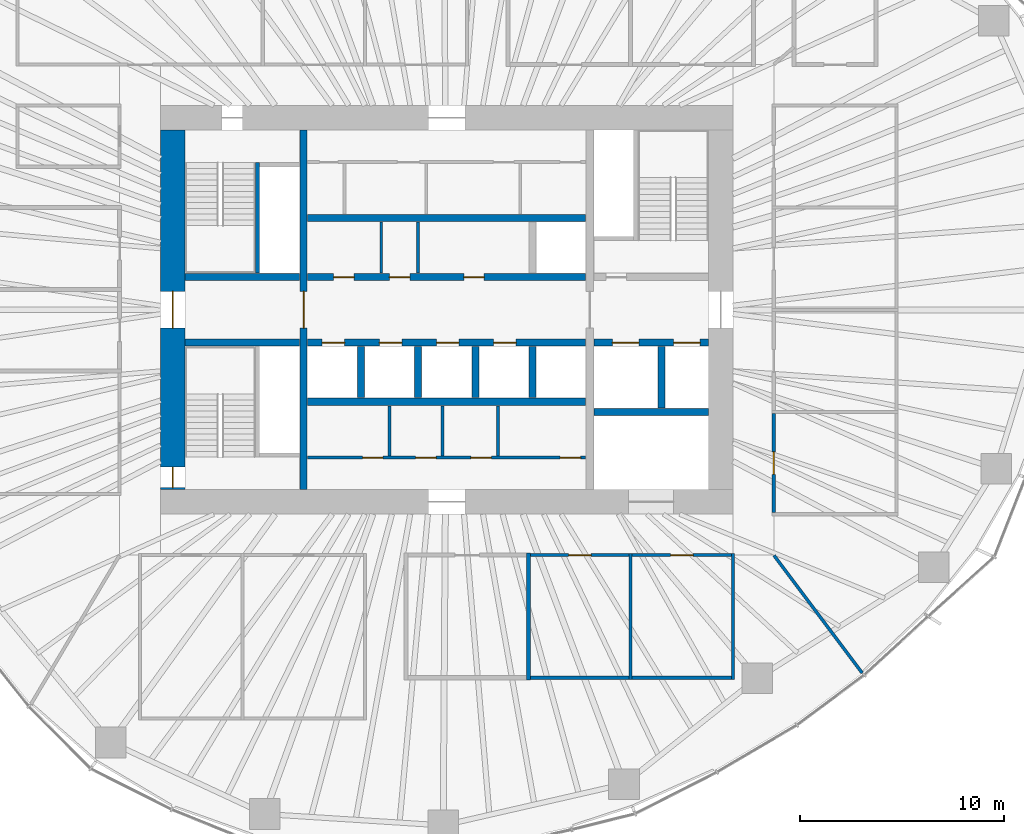
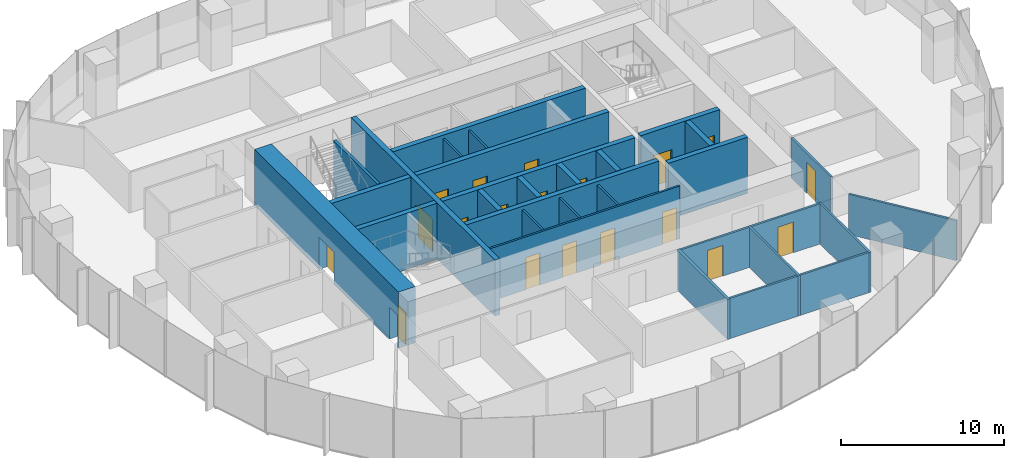
# One storey, part 9 of 18: 31 walls, 19 doors, 19 openings.
"""IFC4 building model written with IfcOpenShell, lengths in metres."""

from ifc_helpers import new_model, si_unit, direction, frame, frame_2d, origin, place, context, subcontext, project, spatial, rectangle, extrude, material, layer, layer_set, type_object, element, fill, save


model = new_model("IFC4")

# Units and contexts
model_context = context("Model", 3, precision=1e-05, world=origin(), true_north=direction((0.0, 1.0)))
body_context = subcontext(model_context, "Body", "Model", "MODEL_VIEW")
ifc_project = project(units=[si_unit("LENGTHUNIT", "METRE"), si_unit("AREAUNIT", "SQUARE_METRE"), si_unit("VOLUMEUNIT", "CUBIC_METRE"), si_unit("PLANEANGLEUNIT", "RADIAN"), si_unit("MASSUNIT", "GRAM", prefix="KILO")], contexts=[model_context])

# Site, building, storey
site_placement = place(None, origin())
site = spatial("IfcSite", under=ifc_project, at=site_placement, CompositionType="ELEMENT")
building_placement = place(site_placement, origin())
building = spatial("IfcBuilding", under=site, at=building_placement, Name="Ghaith Harvest Tower", CompositionType="ELEMENT")
storey_placement = place(building_placement, frame((0.0, 0.0, 126.0)))
storey = spatial("IfcBuildingStorey", under=building, at=storey_placement, Name="L26", CompositionType="ELEMENT", Elevation=126.0)

# Wall
ifc_material_1 = material(Name="Twin-stud gypsum board, acoustic", Category="gypsum")
ifc_layer_1 = layer(ifc_material_1, 0.199951171875)
ifc_layer_set_1 = layer_set([ifc_layer_1], Name="ACOUSTIC PARTITION 200")
wall_type_1 = type_object("IfcWallType", Name="ACOUSTIC PARTITION 200", PredefinedType="PARTITIONING", material=ifc_layer_set_1)
wall_1_placement = place(storey_placement, frame((4.0, -11.89990234375, 0.0), z_axis=(0.0, 0.0, 1.0), x_axis=(0.0, -1.0, 0.0)))
element("IfcWall", 1, at=wall_1_placement, inside=storey, type_object=wall_type_1, Name="Partition L26 row S5 cross wall 2", PredefinedType="PARTITIONING", context=body_context, shape_type="SweptSolid", body=[
    extrude(rectangle(XDim=6.2001953125, YDim=0.199951171875, at=frame_2d((3.10009765625, 0.0))), origin(), (0.0, 0.0, 1.0), 3.0),
])

# Wall, openings, doors
ifc_material_2 = material(Name="Concrete blockwork, fair-faced", Category="masonry")
ifc_layer_2 = layer(ifc_material_2, 0.139892578125)
ifc_layer_set_2 = layer_set([ifc_layer_2], Name="CORE PARTITION 140")
wall_type_2 = type_object("IfcWallType", Name="CORE PARTITION 140", PredefinedType="PARTITIONING", material=ifc_layer_set_2)
wall_2_placement = place(storey_placement, frame((-6.800048828125, -7.22998046875, 0.0), z_axis=(0.0, 0.0, 1.0), x_axis=(1.0, 0.0, 0.0)))
wall_2 = element("IfcWall", 2, at=wall_2_placement, inside=storey, type_object=wall_type_2, Name="Core partition L26", PredefinedType="PARTITIONING", context=body_context, shape_type="SweptSolid", body=[
    extrude(rectangle(XDim=13.60009765625, YDim=0.139892578125, at=frame_2d((6.800048828125, 0.0))), origin(), (0.0, 0.0, 1.0), 3.949951171875),
])
opening_1_placement = place(wall_2_placement, frame((2.679931640625, 0.0, 0.0)))
opening_1 = element("IfcOpeningElement", 3, at=opening_1_placement, cuts=wall_2, Name="Opening 26-012", PredefinedType="OPENING", context=body_context, shape_type="SweptSolid", body=[
    extrude(rectangle(XDim=1.0, YDim=2.39990234375, at=frame_2d((0.5, 1.199951171875))), frame((0.0, 0.080078125, 0.0), z_axis=(0.0, -1.0, 0.0), x_axis=(1.0, 0.0, 0.0)), (0.0, 0.0, 1.0), 0.159912109375),
])
opening_2_placement = place(wall_2_placement, frame((5.280029296875, 0.0, 0.0)))
opening_2 = element("IfcOpeningElement", 4, at=opening_2_placement, cuts=wall_2, Name="Opening 26-013", PredefinedType="OPENING", context=body_context, shape_type="SweptSolid", body=[
    extrude(rectangle(XDim=1.0, YDim=2.39990234375, at=frame_2d((0.5, 1.199951171875))), frame((0.0, 0.080078125, 0.0), z_axis=(0.0, -1.0, 0.0), x_axis=(1.0, 0.0, 0.0)), (0.0, 0.0, 1.0), 0.159912109375),
])
opening_3_placement = place(wall_2_placement, frame((7.97998046875, 0.0, 0.0)))
opening_3 = element("IfcOpeningElement", 5, at=opening_3_placement, cuts=wall_2, Name="Opening 26-014", PredefinedType="OPENING", context=body_context, shape_type="SweptSolid", body=[
    extrude(rectangle(XDim=1.0, YDim=2.39990234375, at=frame_2d((0.5, 1.199951171875))), frame((0.0, 0.080078125, 0.0), z_axis=(0.0, -1.0, 0.0), x_axis=(1.0, 0.0, 0.0)), (0.0, 0.0, 1.0), 0.159912109375),
])
opening_4_placement = place(wall_2_placement, frame((12.35009765625, 0.0, 0.0)))
opening_4 = element("IfcOpeningElement", 6, at=opening_4_placement, cuts=wall_2, Name="Opening 26-015", PredefinedType="OPENING", context=body_context, shape_type="SweptSolid", body=[
    extrude(rectangle(XDim=1.0, YDim=2.39990234375, at=frame_2d((0.5, 1.199951171875))), frame((0.0, 0.080078125, 0.0), z_axis=(0.0, -1.0, 0.0), x_axis=(1.0, 0.0, 0.0)), (0.0, 0.0, 1.0), 0.159912109375),
])
ifc_material_3 = material(Name="Steel fire door", Category="steel")
door_type_1 = type_object("IfcDoorType", Name="D3 FD90 1000x2400", OperationType="SINGLE_SWING_LEFT", PredefinedType="DOOR", material=ifc_material_3)
door_1_placement = place(opening_1_placement, origin())
door_1 = element("IfcDoor", 7, at=door_1_placement, inside=storey, type_object=door_type_1, Name="Electrical room door", OperationType="SINGLE_SWING_LEFT", OverallHeight=2.39990234375, OverallWidth=1.0, PredefinedType="DOOR", context=body_context, shape_type="SweptSolid", body=[
    extrude(rectangle(XDim=1.0, YDim=2.39990234375, at=frame_2d((0.5, 1.199951171875))), frame((0.0, 0.02490234375, 0.0), z_axis=(0.0, -1.0, 0.0), x_axis=(1.0, 0.0, 0.0)), (0.0, 0.0, 1.0), 0.050048828125),
])
fill(opening_1, door_1)
door_2_placement = place(opening_2_placement, origin())
door_2 = element("IfcDoor", 8, at=door_2_placement, inside=storey, type_object=door_type_1, Name="Communications equipment room door", OperationType="SINGLE_SWING_LEFT", OverallHeight=2.39990234375, OverallWidth=1.0, PredefinedType="DOOR", context=body_context, shape_type="SweptSolid", body=[
    extrude(rectangle(XDim=1.0, YDim=2.39990234375, at=frame_2d((0.5, 1.199951171875))), frame((0.0, 0.02490234375, 0.0), z_axis=(0.0, -1.0, 0.0), x_axis=(1.0, 0.0, 0.0)), (0.0, 0.0, 1.0), 0.050048828125),
])
fill(opening_2, door_2)
door_3_placement = place(opening_3_placement, origin())
door_3 = element("IfcDoor", 9, at=door_3_placement, inside=storey, type_object=door_type_1, Name="Staff WC door", OperationType="SINGLE_SWING_RIGHT", OverallHeight=2.39990234375, OverallWidth=1.0, PredefinedType="DOOR", context=body_context, shape_type="SweptSolid", body=[
    extrude(rectangle(XDim=1.0, YDim=2.39990234375, at=frame_2d((0.5, 1.199951171875))), frame((0.0, 0.02490234375, 0.0), z_axis=(0.0, -1.0, 0.0), x_axis=(1.0, 0.0, 0.0)), (0.0, 0.0, 1.0), 0.050048828125),
])
fill(opening_3, door_3)
door_4_placement = place(opening_4_placement, origin())
door_4 = element("IfcDoor", 10, at=door_4_placement, inside=storey, type_object=door_type_1, Name="Riser room door", OperationType="SINGLE_SWING_RIGHT", OverallHeight=2.39990234375, OverallWidth=1.0, PredefinedType="DOOR", context=body_context, shape_type="SweptSolid", body=[
    extrude(rectangle(XDim=1.0, YDim=2.39990234375, at=frame_2d((0.5, 1.199951171875))), frame((0.0, 0.02490234375, 0.0), z_axis=(0.0, -1.0, 0.0), x_axis=(1.0, 0.0, 0.0)), (0.0, 0.0, 1.0), 0.050048828125),
])
fill(opening_4, door_4)

# Walls
for number, where, z_axis, x_axis, name in (
    (11, (-2.800048828125, -4.699951171875, 0.0), (0.0, 0.0, 1.0), (0.0, -1.0, 0.0), "Core partition L26"),
    (12, (-0.199951171875, -4.699951171875, 0.0), (0.0, 0.0, 1.0), (0.0, -1.0, 0.0), "Core partition L26"),
    (13, (2.5, -4.699951171875, 0.0), (0.0, 0.0, 1.0), (0.0, -1.0, 0.0), "Core partition L26"),
):
    element("IfcWall", number, at=place(storey_placement, frame(where, z_axis=z_axis, x_axis=x_axis)), inside=storey, type_object=wall_type_2, Name=name, PredefinedType="PARTITIONING", context=body_context, shape_type="SweptSolid", body=[
        extrude(rectangle(XDim=2.4599609375, YDim=0.139892578125, at=frame_2d((1.22998046875, 0.0))), origin(), (0.0, 0.0, 1.0), 3.949951171875),
    ])
for number, where, z_axis, x_axis, name in (
    (14, (-3.199951171875, 1.800048828125, 0.0), (0.0, 0.0, 1.0), (0.0, 1.0, 0.0), "Core partition L26"),
    (15, (-1.39990234375, 1.800048828125, 0.0), (0.0, 0.0, 1.0), (0.0, 1.0, 0.0), "Core partition L26"),
):
    element("IfcWall", number, at=place(storey_placement, frame(where, z_axis=z_axis, x_axis=x_axis)), inside=storey, type_object=wall_type_2, Name=name, PredefinedType="PARTITIONING", context=body_context, shape_type="SweptSolid", body=[
        extrude(rectangle(XDim=2.5, YDim=0.139892578125, at=frame_2d((1.25, 0.0))), origin(), (0.0, 0.0, 1.0), 3.949951171875),
    ])

# Wall, openings, doors
ifc_material_4 = material(Name="Concrete C60/75", Category="concrete")
ifc_layer_3 = layer(ifc_material_4, 1.199951171875)
ifc_layer_set_3 = layer_set([ifc_layer_3], Name="CORE WALL CW1200 C60")
wall_type_3 = type_object("IfcWallType", Name="CORE WALL CW1200 C60", PredefinedType="SHEAR", material=ifc_layer_set_3)
wall_3_placement = place(storey_placement, frame((-13.39990234375, 8.800048828125, 0.0), z_axis=(0.0, 0.0, 1.0), x_axis=(0.0, -1.0, 0.0)))
wall_3 = element("IfcWall", 16, at=wall_3_placement, inside=storey, type_object=wall_type_3, Name="Core wall W L26", PredefinedType="SHEAR", context=body_context, shape_type="SweptSolid", body=[
    extrude(rectangle(XDim=17.60009765625, YDim=1.199951171875, at=frame_2d((8.800048828125, 0.0))), origin(), (0.0, 0.0, 1.0), 4.199951171875),
])
opening_5_placement = place(wall_3_placement, frame((7.89990234375, 0.0, 0.0)))
opening_5 = element("IfcOpeningElement", 17, at=opening_5_placement, cuts=wall_3, Name="Opening 26-001", PredefinedType="OPENING", context=body_context, shape_type="SweptSolid", body=[
    extrude(rectangle(XDim=1.800048828125, YDim=2.39990234375, at=frame_2d((0.89990234375, 1.199951171875))), frame((0.0, 0.60986328125, 0.0), z_axis=(0.0, -1.0, 0.0), x_axis=(1.0, 0.0, 0.0)), (0.0, 0.0, 1.0), 1.219970703125),
])
opening_6_placement = place(wall_3_placement, frame((16.5, 0.0, 0.0)))
opening_6 = element("IfcOpeningElement", 18, at=opening_6_placement, cuts=wall_3, Name="Opening 26-006", PredefinedType="OPENING", context=body_context, shape_type="SweptSolid", body=[
    extrude(rectangle(XDim=1.0, YDim=2.39990234375, at=frame_2d((0.5, 1.199951171875))), frame((0.0, 0.60986328125, 0.0), z_axis=(0.0, -1.0, 0.0), x_axis=(1.0, 0.0, 0.0)), (0.0, 0.0, 1.0), 1.219970703125),
])
door_5_placement = place(opening_6_placement, origin())
door_5 = element("IfcDoor", 19, at=door_5_placement, inside=storey, type_object=door_type_1, Name="Stair ST3 door", OperationType="SINGLE_SWING_RIGHT", OverallHeight=2.39990234375, OverallWidth=1.0, PredefinedType="DOOR", context=body_context, shape_type="SweptSolid", body=[
    extrude(rectangle(XDim=1.0, YDim=2.39990234375, at=frame_2d((0.5, 1.199951171875))), frame((0.0, 0.02490234375, 0.0), z_axis=(0.0, -1.0, 0.0), x_axis=(1.0, 0.0, 0.0)), (0.0, 0.0, 1.0), 0.050048828125),
])
fill(opening_6, door_5)
ifc_material_5 = material(Name="Steel fire door", Category="steel")
door_type_2 = type_object("IfcDoorType", Name="D4 FD90 PAIR 1800x2400", OperationType="DOUBLE_DOOR_SINGLE_SWING", PredefinedType="DOOR", material=ifc_material_5)
door_6_placement = place(opening_5_placement, origin())
door_6 = element("IfcDoor", 20, at=door_6_placement, inside=storey, type_object=door_type_2, Name="West lobby doors", OperationType="DOUBLE_DOOR_SINGLE_SWING", OverallHeight=2.39990234375, OverallWidth=1.800048828125, PredefinedType="DOOR", context=body_context, shape_type="SweptSolid", body=[
    extrude(rectangle(XDim=1.800048828125, YDim=2.39990234375, at=frame_2d((0.89990234375, 1.199951171875))), frame((0.0, 0.02490234375, 0.0), z_axis=(0.0, -1.0, 0.0), x_axis=(1.0, 0.0, 0.0)), (0.0, 0.0, 1.0), 0.050048828125),
])
fill(opening_5, door_6)

# Wall, opening, door
ifc_material_6 = material(Name="Gypsum board on steel studs", Category="steel")
ifc_layer_4 = layer(ifc_material_6, 0.14990234375)
ifc_layer_set_4 = layer_set([ifc_layer_4], Name="PARTITION 150")
wall_type_4 = type_object("IfcWallType", Name="PARTITION 150", PredefinedType="PARTITIONING", material=ifc_layer_set_4)
wall_4_placement = place(storey_placement, frame((16.0, -9.925048828125, 0.0), z_axis=(0.0, 0.0, 1.0), x_axis=(0.0, 1.0, 0.0)))
wall_4 = element("IfcWall", 21, at=wall_4_placement, inside=storey, type_object=wall_type_4, Name="Partition L26-06", PredefinedType="PARTITIONING", context=body_context, shape_type="SweptSolid", body=[
    extrude(rectangle(XDim=4.85009765625, YDim=0.14990234375, at=frame_2d((2.425048828125, 0.0))), origin(), (0.0, 0.0, 1.0), 3.0),
])
opening_7_placement = place(wall_4_placement, frame((1.875, 0.0, 0.0)))
opening_7 = element("IfcOpeningElement", 22, at=opening_7_placement, cuts=wall_4, Name="Opening 26-033", PredefinedType="OPENING", context=body_context, shape_type="SweptSolid", body=[
    extrude(rectangle(XDim=1.10009765625, YDim=2.300048828125, at=frame_2d((0.550048828125, 1.14990234375))), frame((0.0, 0.0849609375, 0.0), z_axis=(0.0, -1.0, 0.0), x_axis=(1.0, 0.0, 0.0)), (0.0, 0.0, 1.0), 0.169921875),
])
ifc_material_7 = material(Name="Timber-framed glazed door", Category="wood")
door_type_3 = type_object("IfcDoorType", Name="D12 GLAZED OFFICE 1100x2300", OperationType="SINGLE_SWING_LEFT", PredefinedType="DOOR", material=ifc_material_7)
door_7_placement = place(opening_7_placement, origin())
door_7 = element("IfcDoor", 23, at=door_7_placement, inside=storey, type_object=door_type_3, Name="Office door", OperationType="SINGLE_SWING_LEFT", OverallHeight=2.300048828125, OverallWidth=1.10009765625, PredefinedType="DOOR", context=body_context, shape_type="SweptSolid", body=[
    extrude(rectangle(XDim=1.10009765625, YDim=2.300048828125, at=frame_2d((0.550048828125, 1.14990234375))), frame((0.0, 0.02490234375, 0.0), z_axis=(0.0, -1.0, 0.0), x_axis=(1.0, 0.0, 0.0)), (0.0, 0.0, 1.0), 0.050048828125),
])
fill(opening_7, door_7)

# Walls
for number, where, z_axis, x_axis, name in (
    (24, (9.0, -11.925048828125, 0.0), (0.0, 0.0, 1.0), (0.0, -1.0, 0.0), "Partition L26 row S5 cross wall 3"),
    (25, (14.0, -11.925048828125, 0.0), (0.0, 0.0, 1.0), (0.0, -1.0, 0.0), "Partition L26 row S5 cross wall 4"),
):
    element("IfcWall", number, at=place(storey_placement, frame(where, z_axis=z_axis, x_axis=x_axis)), inside=storey, type_object=wall_type_4, Name=name, PredefinedType="PARTITIONING", context=body_context, shape_type="SweptSolid", body=[
        extrude(rectangle(XDim=6.14990234375, YDim=0.14990234375, at=frame_2d((3.074951171875, 0.0))), origin(), (0.0, 0.0, 1.0), 3.0),
    ])

# Wall, opening, door
wall_5_placement = place(storey_placement, frame((4.10009765625, -12.0, 0.0), z_axis=(0.0, 0.0, 1.0), x_axis=(1.0, 0.0, 0.0)))
wall_5 = element("IfcWall", 26, at=wall_5_placement, inside=storey, type_object=wall_type_4, Name="Partition L26-13", PredefinedType="PARTITIONING", context=body_context, shape_type="SweptSolid", body=[
    extrude(rectangle(XDim=4.824951171875, YDim=0.14990234375, at=frame_2d((2.41259765625, 0.0))), origin(), (0.0, 0.0, 1.0), 3.0),
])
opening_8_placement = place(wall_5_placement, frame((1.862548828125, 0.0, 0.0)))
opening_8 = element("IfcOpeningElement", 27, at=opening_8_placement, cuts=wall_5, Name="Opening 26-040", PredefinedType="OPENING", context=body_context, shape_type="SweptSolid", body=[
    extrude(rectangle(XDim=1.10009765625, YDim=2.300048828125, at=frame_2d((0.550048828125, 1.14990234375))), frame((0.0, 0.0849609375, 0.0), z_axis=(0.0, -1.0, 0.0), x_axis=(1.0, 0.0, 0.0)), (0.0, 0.0, 1.0), 0.169921875),
])
door_8_placement = place(opening_8_placement, origin())
door_8 = element("IfcDoor", 28, at=door_8_placement, inside=storey, type_object=door_type_3, Name="Office door", OperationType="SINGLE_SWING_LEFT", OverallHeight=2.300048828125, OverallWidth=1.10009765625, PredefinedType="DOOR", context=body_context, shape_type="SweptSolid", body=[
    extrude(rectangle(XDim=1.10009765625, YDim=2.300048828125, at=frame_2d((0.550048828125, 1.14990234375))), frame((0.0, 0.02490234375, 0.0), z_axis=(0.0, -1.0, 0.0), x_axis=(1.0, 0.0, 0.0)), (0.0, 0.0, 1.0), 0.050048828125),
])
fill(opening_8, door_8)

# Wall
wall_6_placement = place(storey_placement, frame((4.10009765625, -18.0, 0.0), z_axis=(0.0, 0.0, 1.0), x_axis=(1.0, 0.0, 0.0)))
element("IfcWall", 29, at=wall_6_placement, inside=storey, type_object=wall_type_4, Name="Partition L26-13", PredefinedType="PARTITIONING", context=body_context, shape_type="SweptSolid", body=[
    extrude(rectangle(XDim=4.824951171875, YDim=0.14990234375, at=frame_2d((2.41259765625, 0.0))), origin(), (0.0, 0.0, 1.0), 3.0),
])

# Wall, opening, door
wall_7_placement = place(storey_placement, frame((9.074951171875, -12.0, 0.0), z_axis=(0.0, 0.0, 1.0), x_axis=(1.0, 0.0, 0.0)))
wall_7 = element("IfcWall", 30, at=wall_7_placement, inside=storey, type_object=wall_type_4, Name="Partition L26-14", PredefinedType="PARTITIONING", context=body_context, shape_type="SweptSolid", body=[
    extrude(rectangle(XDim=4.85009765625, YDim=0.14990234375, at=frame_2d((2.425048828125, 0.0))), origin(), (0.0, 0.0, 1.0), 3.0),
])
opening_9_placement = place(wall_7_placement, frame((1.875, 0.0, 0.0)))
opening_9 = element("IfcOpeningElement", 31, at=opening_9_placement, cuts=wall_7, Name="Opening 26-041", PredefinedType="OPENING", context=body_context, shape_type="SweptSolid", body=[
    extrude(rectangle(XDim=1.10009765625, YDim=2.300048828125, at=frame_2d((0.550048828125, 1.14990234375))), frame((0.0, 0.0849609375, 0.0), z_axis=(0.0, -1.0, 0.0), x_axis=(1.0, 0.0, 0.0)), (0.0, 0.0, 1.0), 0.169921875),
])
door_9_placement = place(opening_9_placement, origin())
door_9 = element("IfcDoor", 32, at=door_9_placement, inside=storey, type_object=door_type_3, Name="Office door", OperationType="SINGLE_SWING_LEFT", OverallHeight=2.300048828125, OverallWidth=1.10009765625, PredefinedType="DOOR", context=body_context, shape_type="SweptSolid", body=[
    extrude(rectangle(XDim=1.10009765625, YDim=2.300048828125, at=frame_2d((0.550048828125, 1.14990234375))), frame((0.0, 0.02490234375, 0.0), z_axis=(0.0, -1.0, 0.0), x_axis=(1.0, 0.0, 0.0)), (0.0, 0.0, 1.0), 0.050048828125),
])
fill(opening_9, door_9)

# Walls
wall_8_placement = place(storey_placement, frame((9.074951171875, -18.0, 0.0), z_axis=(0.0, 0.0, 1.0), x_axis=(1.0, 0.0, 0.0)))
element("IfcWall", 33, at=wall_8_placement, inside=storey, type_object=wall_type_4, Name="Partition L26-14", PredefinedType="PARTITIONING", context=body_context, shape_type="SweptSolid", body=[
    extrude(rectangle(XDim=4.85009765625, YDim=0.14990234375, at=frame_2d((2.425048828125, 0.0))), origin(), (0.0, 0.0, 1.0), 3.0),
])
wall_9_placement = place(storey_placement, frame((16.011962890625, -12.01611328125, 0.0), z_axis=(0.0, 0.0, 1.0), x_axis=(0.600059749679, -0.799955184254, 0.0)))
element("IfcWall", 34, at=wall_9_placement, inside=storey, type_object=wall_type_4, Name="Partition L26 zone division", PredefinedType="PARTITIONING", context=body_context, shape_type="SweptSolid", body=[
    extrude(rectangle(XDim=7.191162109375, YDim=0.14990234375, at=frame_2d((3.595703125, 0.0))), origin(), (0.0, 0.0, 1.0), 3.0),
])

# Wall, opening, door
ifc_material_8 = material(Name="Concrete C60/75", Category="concrete")
ifc_layer_5 = layer(ifc_material_8, 0.35009765625)
ifc_layer_set_5 = layer_set([ifc_layer_5], Name="SHAFT WALL 350")
wall_type_5 = type_object("IfcWallType", Name="SHAFT WALL 350", PredefinedType="SHEAR", material=ifc_layer_set_5)
wall_10_placement = place(storey_placement, frame((-7.0, -8.800048828125, 0.0), z_axis=(0.0, 0.0, 1.0), x_axis=(0.0, 1.0, 0.0)))
wall_10 = element("IfcWall", 35, at=wall_10_placement, inside=storey, type_object=wall_type_5, Name="Shaft wall W7W L26", PredefinedType="SHEAR", context=body_context, shape_type="SweptSolid", body=[
    extrude(rectangle(XDim=17.60009765625, YDim=0.35009765625, at=frame_2d((8.800048828125, 0.0))), origin(), (0.0, 0.0, 1.0), 4.199951171875),
])
opening_10_placement = place(wall_10_placement, frame((7.89990234375, 0.0, 0.0)))
opening_10 = element("IfcOpeningElement", 36, at=opening_10_placement, cuts=wall_10, Name="Opening 26-003", PredefinedType="OPENING", context=body_context, shape_type="SweptSolid", body=[
    extrude(rectangle(XDim=1.800048828125, YDim=2.39990234375, at=frame_2d((0.89990234375, 1.199951171875))), frame((0.0, 0.18505859375, 0.0), z_axis=(0.0, -1.0, 0.0), x_axis=(1.0, 0.0, 0.0)), (0.0, 0.0, 1.0), 0.3701171875),
])
door_10_placement = place(opening_10_placement, origin())
door_10 = element("IfcDoor", 37, at=door_10_placement, inside=storey, type_object=door_type_2, Name="Lift lobby doors, west", OperationType="DOUBLE_DOOR_SINGLE_SWING", OverallHeight=2.39990234375, OverallWidth=1.800048828125, PredefinedType="DOOR", context=body_context, shape_type="SweptSolid", body=[
    extrude(rectangle(XDim=1.800048828125, YDim=2.39990234375, at=frame_2d((0.89990234375, 1.199951171875))), frame((0.0, 0.02490234375, 0.0), z_axis=(0.0, -1.0, 0.0), x_axis=(1.0, 0.0, 0.0)), (0.0, 0.0, 1.0), 0.050048828125),
])
fill(opening_10, door_10)

# Wall, openings, doors
wall_11_placement = place(storey_placement, frame((-6.800048828125, 1.60009765625, 0.0), z_axis=(0.0, 0.0, 1.0), x_axis=(1.0, 0.0, 0.0)))
wall_11 = element("IfcWall", 38, at=wall_11_placement, inside=storey, type_object=wall_type_5, Name="Shaft wall LN L26", PredefinedType="SHEAR", context=body_context, shape_type="SweptSolid", body=[
    extrude(rectangle(XDim=13.60009765625, YDim=0.35009765625, at=frame_2d((6.800048828125, 0.0))), origin(), (0.0, 0.0, 1.0), 4.199951171875),
])
opening_11_placement = place(wall_11_placement, frame((1.264892578125, 0.0, 0.0)))
opening_11 = element("IfcOpeningElement", 39, at=opening_11_placement, cuts=wall_11, Name="Opening 26-016", PredefinedType="OPENING", context=body_context, shape_type="SweptSolid", body=[
    extrude(rectangle(XDim=1.0, YDim=2.39990234375, at=frame_2d((0.5, 1.199951171875))), frame((0.0, 0.18505859375, 0.0), z_axis=(0.0, -1.0, 0.0), x_axis=(1.0, 0.0, 0.0)), (0.0, 0.0, 1.0), 0.3701171875),
])
opening_12_placement = place(wall_11_placement, frame((4.0, 0.0, 0.0)))
opening_12 = element("IfcOpeningElement", 40, at=opening_12_placement, cuts=wall_11, Name="Opening 26-017", PredefinedType="OPENING", context=body_context, shape_type="SweptSolid", body=[
    extrude(rectangle(XDim=1.0, YDim=2.39990234375, at=frame_2d((0.5, 1.199951171875))), frame((0.0, 0.18505859375, 0.0), z_axis=(0.0, -1.0, 0.0), x_axis=(1.0, 0.0, 0.0)), (0.0, 0.0, 1.0), 0.3701171875),
])
opening_13_placement = place(wall_11_placement, frame((7.635009765625, 0.0, 0.0)))
opening_13 = element("IfcOpeningElement", 41, at=opening_13_placement, cuts=wall_11, Name="Opening 26-018", PredefinedType="OPENING", context=body_context, shape_type="SweptSolid", body=[
    extrude(rectangle(XDim=1.0, YDim=2.39990234375, at=frame_2d((0.5, 1.199951171875))), frame((0.0, 0.18505859375, 0.0), z_axis=(0.0, -1.0, 0.0), x_axis=(1.0, 0.0, 0.0)), (0.0, 0.0, 1.0), 0.3701171875),
])
door_11_placement = place(opening_11_placement, origin())
door_11 = element("IfcDoor", 42, at=door_11_placement, inside=storey, type_object=door_type_1, Name="Security room door", OperationType="SINGLE_SWING_LEFT", OverallHeight=2.39990234375, OverallWidth=1.0, PredefinedType="DOOR", context=body_context, shape_type="SweptSolid", body=[
    extrude(rectangle(XDim=1.0, YDim=2.39990234375, at=frame_2d((0.5, 1.199951171875))), frame((0.0, 0.02490234375, 0.0), z_axis=(0.0, -1.0, 0.0), x_axis=(1.0, 0.0, 0.0)), (0.0, 0.0, 1.0), 0.050048828125),
])
fill(opening_11, door_11)
door_12_placement = place(opening_12_placement, origin())
door_12 = element("IfcDoor", 43, at=door_12_placement, inside=storey, type_object=door_type_1, Name="IT equipment room door", OperationType="SINGLE_SWING_LEFT", OverallHeight=2.39990234375, OverallWidth=1.0, PredefinedType="DOOR", context=body_context, shape_type="SweptSolid", body=[
    extrude(rectangle(XDim=1.0, YDim=2.39990234375, at=frame_2d((0.5, 1.199951171875))), frame((0.0, 0.02490234375, 0.0), z_axis=(0.0, -1.0, 0.0), x_axis=(1.0, 0.0, 0.0)), (0.0, 0.0, 1.0), 0.050048828125),
])
fill(opening_12, door_12)
door_13_placement = place(opening_13_placement, origin())
door_13 = element("IfcDoor", 44, at=door_13_placement, inside=storey, type_object=door_type_1, Name="IT equipment room door", OperationType="SINGLE_SWING_RIGHT", OverallHeight=2.39990234375, OverallWidth=1.0, PredefinedType="DOOR", context=body_context, shape_type="SweptSolid", body=[
    extrude(rectangle(XDim=1.0, YDim=2.39990234375, at=frame_2d((0.5, 1.199951171875))), frame((0.0, 0.02490234375, 0.0), z_axis=(0.0, -1.0, 0.0), x_axis=(1.0, 0.0, 0.0)), (0.0, 0.0, 1.0), 0.050048828125),
])
fill(opening_13, door_13)

wall_12_placement = place(storey_placement, frame((-6.800048828125, -1.60009765625, 0.0), z_axis=(0.0, 0.0, 1.0), x_axis=(1.0, 0.0, 0.0)))
wall_12 = element("IfcWall", 45, at=wall_12_placement, inside=storey, type_object=wall_type_5, Name="Shaft wall LS L26", PredefinedType="SHEAR", context=body_context, shape_type="SweptSolid", body=[
    extrude(rectangle(XDim=13.60009765625, YDim=0.35009765625, at=frame_2d((6.800048828125, 0.0))), origin(), (0.0, 0.0, 1.0), 4.199951171875),
])
opening_14_placement = place(wall_12_placement, frame((0.699951171875, 0.0, 0.0)))
opening_14 = element("IfcOpeningElement", 46, at=opening_14_placement, cuts=wall_12, Name="Opening 26-021", PredefinedType="OPENING", context=body_context, shape_type="SweptSolid", body=[
    extrude(rectangle(XDim=1.10009765625, YDim=2.39990234375, at=frame_2d((0.550048828125, 1.199951171875))), frame((0.0, 0.18505859375, 0.0), z_axis=(0.0, -1.0, 0.0), x_axis=(1.0, 0.0, 0.0)), (0.0, 0.0, 1.0), 0.3701171875),
])
opening_15_placement = place(wall_12_placement, frame((3.5, 0.0, 0.0)))
opening_15 = element("IfcOpeningElement", 47, at=opening_15_placement, cuts=wall_12, Name="Opening 26-022", PredefinedType="OPENING", context=body_context, shape_type="SweptSolid", body=[
    extrude(rectangle(XDim=1.10009765625, YDim=2.39990234375, at=frame_2d((0.550048828125, 1.199951171875))), frame((0.0, 0.18505859375, 0.0), z_axis=(0.0, -1.0, 0.0), x_axis=(1.0, 0.0, 0.0)), (0.0, 0.0, 1.0), 0.3701171875),
])
opening_16_placement = place(wall_12_placement, frame((6.300048828125, 0.0, 0.0)))
opening_16 = element("IfcOpeningElement", 48, at=opening_16_placement, cuts=wall_12, Name="Opening 26-023", PredefinedType="OPENING", context=body_context, shape_type="SweptSolid", body=[
    extrude(rectangle(XDim=1.10009765625, YDim=2.39990234375, at=frame_2d((0.550048828125, 1.199951171875))), frame((0.0, 0.18505859375, 0.0), z_axis=(0.0, -1.0, 0.0), x_axis=(1.0, 0.0, 0.0)), (0.0, 0.0, 1.0), 0.3701171875),
])
opening_17_placement = place(wall_12_placement, frame((9.10009765625, 0.0, 0.0)))
opening_17 = element("IfcOpeningElement", 49, at=opening_17_placement, cuts=wall_12, Name="Opening 26-024", PredefinedType="OPENING", context=body_context, shape_type="SweptSolid", body=[
    extrude(rectangle(XDim=1.10009765625, YDim=2.39990234375, at=frame_2d((0.550048828125, 1.199951171875))), frame((0.0, 0.18505859375, 0.0), z_axis=(0.0, -1.0, 0.0), x_axis=(1.0, 0.0, 0.0)), (0.0, 0.0, 1.0), 0.3701171875),
])
ifc_material_9 = material(Name="Steel fire door", Category="steel")
door_type_4 = type_object("IfcDoorType", Name="LD1 LANDING 1100x2400", OperationType="DOUBLE_DOOR_SLIDING", PredefinedType="DOOR", material=ifc_material_9)
door_14_placement = place(opening_14_placement, origin())
door_14 = element("IfcDoor", 50, at=door_14_placement, inside=storey, type_object=door_type_4, Name="Landing door, lift LR1", OperationType="DOUBLE_DOOR_SLIDING", OverallHeight=2.39990234375, OverallWidth=1.10009765625, PredefinedType="DOOR", context=body_context, shape_type="SweptSolid", body=[
    extrude(rectangle(XDim=1.10009765625, YDim=2.39990234375, at=frame_2d((0.550048828125, 1.199951171875))), frame((0.0, 0.02490234375, 0.0), z_axis=(0.0, -1.0, 0.0), x_axis=(1.0, 0.0, 0.0)), (0.0, 0.0, 1.0), 0.050048828125),
])
fill(opening_14, door_14)
door_15_placement = place(opening_15_placement, origin())
door_15 = element("IfcDoor", 51, at=door_15_placement, inside=storey, type_object=door_type_4, Name="Landing door, lift LR2", OperationType="DOUBLE_DOOR_SLIDING", OverallHeight=2.39990234375, OverallWidth=1.10009765625, PredefinedType="DOOR", context=body_context, shape_type="SweptSolid", body=[
    extrude(rectangle(XDim=1.10009765625, YDim=2.39990234375, at=frame_2d((0.550048828125, 1.199951171875))), frame((0.0, 0.02490234375, 0.0), z_axis=(0.0, -1.0, 0.0), x_axis=(1.0, 0.0, 0.0)), (0.0, 0.0, 1.0), 0.050048828125),
])
fill(opening_15, door_15)
door_16_placement = place(opening_16_placement, origin())
door_16 = element("IfcDoor", 52, at=door_16_placement, inside=storey, type_object=door_type_4, Name="Landing door, lift LR3", OperationType="DOUBLE_DOOR_SLIDING", OverallHeight=2.39990234375, OverallWidth=1.10009765625, PredefinedType="DOOR", context=body_context, shape_type="SweptSolid", body=[
    extrude(rectangle(XDim=1.10009765625, YDim=2.39990234375, at=frame_2d((0.550048828125, 1.199951171875))), frame((0.0, 0.02490234375, 0.0), z_axis=(0.0, -1.0, 0.0), x_axis=(1.0, 0.0, 0.0)), (0.0, 0.0, 1.0), 0.050048828125),
])
fill(opening_16, door_16)
door_17_placement = place(opening_17_placement, origin())
door_17 = element("IfcDoor", 53, at=door_17_placement, inside=storey, type_object=door_type_4, Name="Landing door, lift LR4", OperationType="DOUBLE_DOOR_SLIDING", OverallHeight=2.39990234375, OverallWidth=1.10009765625, PredefinedType="DOOR", context=body_context, shape_type="SweptSolid", body=[
    extrude(rectangle(XDim=1.10009765625, YDim=2.39990234375, at=frame_2d((0.550048828125, 1.199951171875))), frame((0.0, 0.02490234375, 0.0), z_axis=(0.0, -1.0, 0.0), x_axis=(1.0, 0.0, 0.0)), (0.0, 0.0, 1.0), 0.050048828125),
])
fill(opening_17, door_17)

# Walls
for number, where, z_axis, x_axis, name in (
    (54, (-6.800048828125, 4.5, 0.0), (0.0, 0.0, 1.0), (1.0, 0.0, 0.0), "Shaft wall BN L26"),
    (55, (-6.800048828125, -4.5, 0.0), (0.0, 0.0, 1.0), (1.0, 0.0, 0.0), "Shaft wall BS L26"),
):
    element("IfcWall", number, at=place(storey_placement, frame(where, z_axis=z_axis, x_axis=x_axis)), inside=storey, type_object=wall_type_5, Name=name, PredefinedType="SHEAR", context=body_context, shape_type="SweptSolid", body=[
        extrude(rectangle(XDim=13.60009765625, YDim=0.35009765625, at=frame_2d((6.800048828125, 0.0))), origin(), (0.0, 0.0, 1.0), 4.199951171875),
    ])
for number, where, z_axis, x_axis, name in (
    (56, (-12.800048828125, 1.60009765625, 0.0), (0.0, 0.0, 1.0), (1.0, 0.0, 0.0), "Shaft wall WN L26"),
    (57, (-12.800048828125, -1.60009765625, 0.0), (0.0, 0.0, 1.0), (1.0, 0.0, 0.0), "Shaft wall WS L26"),
):
    element("IfcWall", number, at=place(storey_placement, frame(where, z_axis=z_axis, x_axis=x_axis)), inside=storey, type_object=wall_type_5, Name=name, PredefinedType="SHEAR", context=body_context, shape_type="SweptSolid", body=[
        extrude(rectangle(XDim=5.60009765625, YDim=0.35009765625, at=frame_2d((2.800048828125, 0.0))), origin(), (0.0, 0.0, 1.0), 4.199951171875),
    ])

# Wall, openings, doors
wall_13_placement = place(storey_placement, frame((7.199951171875, -1.60009765625, 0.0), z_axis=(0.0, 0.0, 1.0), x_axis=(1.0, 0.0, 0.0)))
wall_13 = element("IfcWall", 58, at=wall_13_placement, inside=storey, type_object=wall_type_5, Name="Shaft wall ES L26", PredefinedType="SHEAR", context=body_context, shape_type="SweptSolid", body=[
    extrude(rectangle(XDim=5.60009765625, YDim=0.35009765625, at=frame_2d((2.800048828125, 0.0))), origin(), (0.0, 0.0, 1.0), 4.199951171875),
])
opening_18_placement = place(wall_13_placement, frame((0.89990234375, 0.0, 0.0)))
opening_18 = element("IfcOpeningElement", 59, at=opening_18_placement, cuts=wall_13, Name="Opening 26-025", PredefinedType="OPENING", context=body_context, shape_type="SweptSolid", body=[
    extrude(rectangle(XDim=1.300048828125, YDim=2.39990234375, at=frame_2d((0.64990234375, 1.199951171875))), frame((0.0, 0.18505859375, 0.0), z_axis=(0.0, -1.0, 0.0), x_axis=(1.0, 0.0, 0.0)), (0.0, 0.0, 1.0), 0.3701171875),
])
opening_19_placement = place(wall_13_placement, frame((3.89990234375, 0.0, 0.0)))
opening_19 = element("IfcOpeningElement", 60, at=opening_19_placement, cuts=wall_13, Name="Opening 26-026", PredefinedType="OPENING", context=body_context, shape_type="SweptSolid", body=[
    extrude(rectangle(XDim=1.300048828125, YDim=2.39990234375, at=frame_2d((0.64990234375, 1.199951171875))), frame((0.0, 0.18505859375, 0.0), z_axis=(0.0, -1.0, 0.0), x_axis=(1.0, 0.0, 0.0)), (0.0, 0.0, 1.0), 0.3701171875),
])
ifc_material_10 = material(Name="Steel fire door", Category="steel")
door_type_5 = type_object("IfcDoorType", Name="LD2 LANDING 1300x2400", OperationType="DOUBLE_DOOR_SLIDING", PredefinedType="DOOR", material=ifc_material_10)
door_18_placement = place(opening_18_placement, origin())
door_18 = element("IfcDoor", 61, at=door_18_placement, inside=storey, type_object=door_type_5, Name="Landing door, fire service lift FL1", OperationType="DOUBLE_DOOR_SLIDING", OverallHeight=2.39990234375, OverallWidth=1.300048828125, PredefinedType="DOOR", context=body_context, shape_type="SweptSolid", body=[
    extrude(rectangle(XDim=1.300048828125, YDim=2.39990234375, at=frame_2d((0.64990234375, 1.199951171875))), frame((0.0, 0.02490234375, 0.0), z_axis=(0.0, -1.0, 0.0), x_axis=(1.0, 0.0, 0.0)), (0.0, 0.0, 1.0), 0.050048828125),
])
fill(opening_18, door_18)
door_19_placement = place(opening_19_placement, origin())
door_19 = element("IfcDoor", 62, at=door_19_placement, inside=storey, type_object=door_type_5, Name="Landing door, fire service lift FL2", OperationType="DOUBLE_DOOR_SLIDING", OverallHeight=2.39990234375, OverallWidth=1.300048828125, PredefinedType="DOOR", context=body_context, shape_type="SweptSolid", body=[
    extrude(rectangle(XDim=1.300048828125, YDim=2.39990234375, at=frame_2d((0.64990234375, 1.199951171875))), frame((0.0, 0.02490234375, 0.0), z_axis=(0.0, -1.0, 0.0), x_axis=(1.0, 0.0, 0.0)), (0.0, 0.0, 1.0), 0.050048828125),
])
fill(opening_19, door_19)

# Walls
wall_14_placement = place(storey_placement, frame((10.5, -4.800048828125, 0.0), z_axis=(0.0, 0.0, 1.0), x_axis=(0.0, 1.0, 0.0)))
element("IfcWall", 63, at=wall_14_placement, inside=storey, type_object=wall_type_5, Name="Shaft wall FLD L26", PredefinedType="SHEAR", context=body_context, shape_type="SweptSolid", body=[
    extrude(rectangle(XDim=3.0, YDim=0.35009765625, at=frame_2d((1.5, 0.0))), origin(), (0.0, 0.0, 1.0), 4.199951171875),
])
wall_15_placement = place(storey_placement, frame((7.199951171875, -5.0, 0.0), z_axis=(0.0, 0.0, 1.0), x_axis=(1.0, 0.0, 0.0)))
element("IfcWall", 64, at=wall_15_placement, inside=storey, type_object=wall_type_5, Name="Shaft wall FLB L26", PredefinedType="SHEAR", context=body_context, shape_type="SweptSolid", body=[
    extrude(rectangle(XDim=5.60009765625, YDim=0.35009765625, at=frame_2d((2.800048828125, 0.0))), origin(), (0.0, 0.0, 1.0), 4.199951171875),
])
for number, where, z_axis, x_axis, name in (
    (65, (-4.199951171875, -4.300048828125, 0.0), (0.0, 0.0, 1.0), (0.0, 1.0, 0.0), "Shaft wall DS1 L26"),
    (66, (-1.39990234375, -4.300048828125, 0.0), (0.0, 0.0, 1.0), (0.0, 1.0, 0.0), "Shaft wall DS2 L26"),
    (67, (1.39990234375, -4.300048828125, 0.0), (0.0, 0.0, 1.0), (0.0, 1.0, 0.0), "Shaft wall DS3 L26"),
    (68, (4.199951171875, -4.300048828125, 0.0), (0.0, 0.0, 1.0), (0.0, 1.0, 0.0), "Shaft wall DS4 L26"),
):
    element("IfcWall", number, at=place(storey_placement, frame(where, z_axis=z_axis, x_axis=x_axis)), inside=storey, type_object=wall_type_5, Name=name, PredefinedType="SHEAR", context=body_context, shape_type="SweptSolid", body=[
        extrude(rectangle(XDim=2.5, YDim=0.35009765625, at=frame_2d((1.25, 0.0))), origin(), (0.0, 0.0, 1.0), 4.199951171875),
    ])
ifc_material_11 = material(Name="Concrete C40/50", Category="concrete")
ifc_layer_6 = layer(ifc_material_11, 0.199951171875)
ifc_layer_set_6 = layer_set([ifc_layer_6], Name="STAIR SPINE WALL RC200")
wall_type_6 = type_object("IfcWallType", Name="STAIR SPINE WALL RC200", PredefinedType="SOLIDWALL", material=ifc_layer_set_6)
wall_16_placement = place(storey_placement, frame((-9.25, 7.199951171875, 0.0), z_axis=(0.0, 0.0, 1.0), x_axis=(0.0, -1.0, 0.0)))
element("IfcWall", 69, at=wall_16_placement, inside=storey, type_object=wall_type_6, Name="Stair ST1 spine wall L26", PredefinedType="SOLIDWALL", context=body_context, shape_type="SweptSolid", body=[
    extrude(rectangle(XDim=5.39990234375, YDim=0.199951171875, at=frame_2d((2.699951171875, 0.0))), origin(), (0.0, 0.0, 1.0), 4.199951171875),
])

save(model, "model.ifc")
